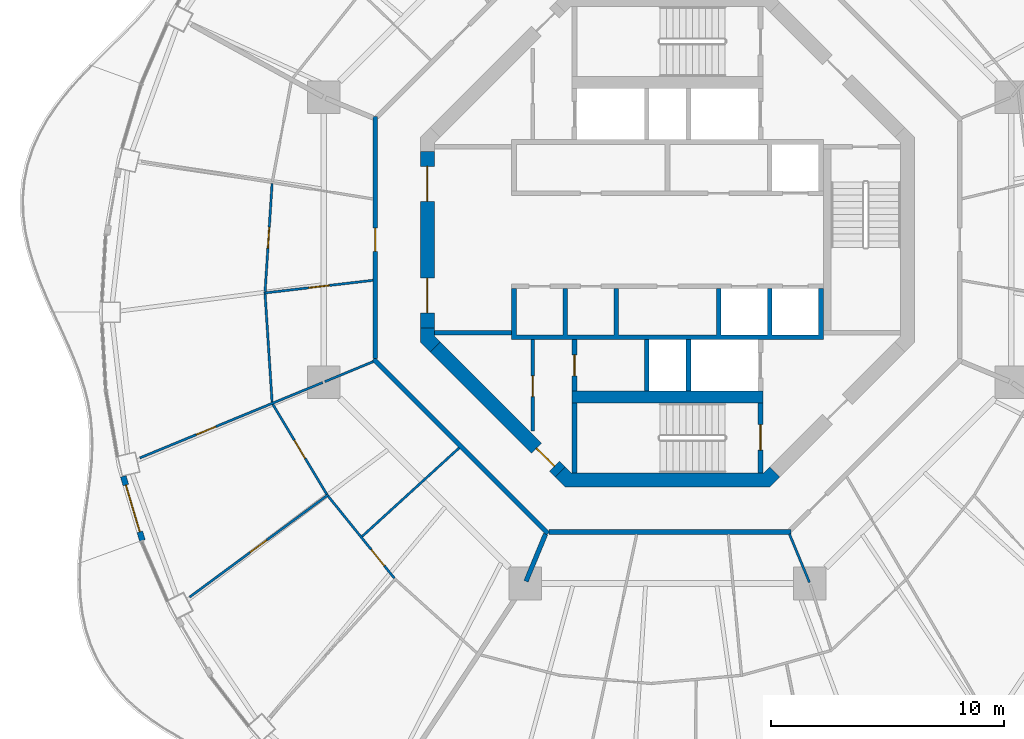
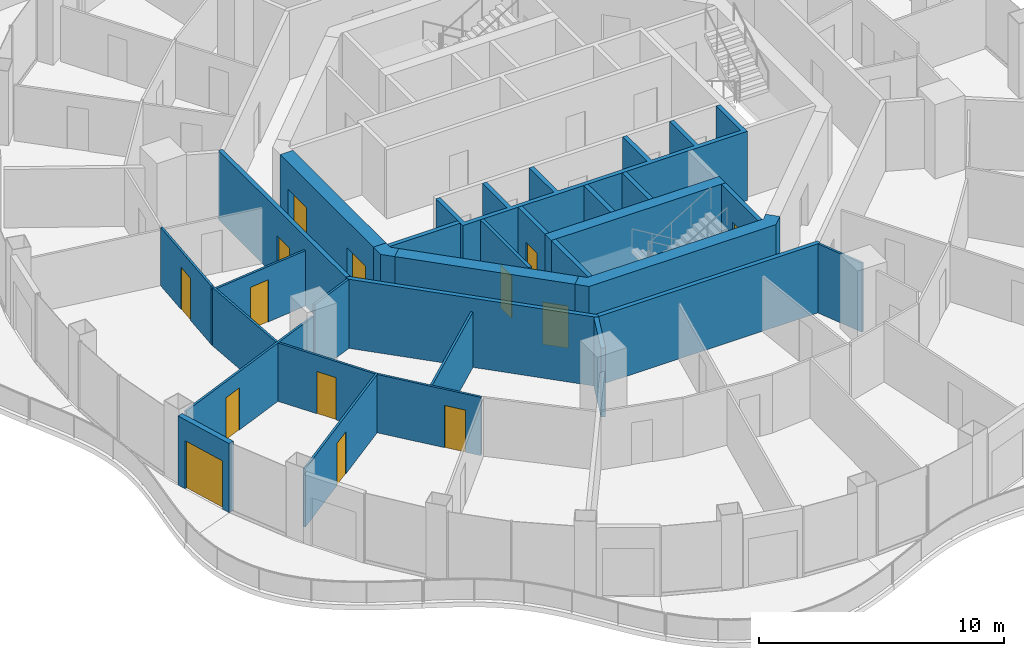
# One storey, part 10 of 17: 28 walls, 14 doors, 14 openings.
"""IFC4 building model written with IfcOpenShell, lengths in metres."""

import ifcopenshell
import ifcopenshell.guid

model = None  # the IFC model being written
_history = None  # IfcOwnerHistory: only IFC2X3 demands one
_inside = {}  # id of a spatial element -> (the spatial element, [elements in it])
_under = {}  # id of a project, library or spatial element -> (it, [spatial elements below it])
_declared = {}  # id of a project -> (the project, [libraries it declares])
_typed = {}  # id of a type object -> (the type object, [elements of that type])
_made_of = {}  # id of a material, layer set ... -> (it, [elements and type objects made of it])


def new_model(schema):
    """Start an empty IFC model of exactly this schema.

    Asked for "IFC4X3", IfcOpenShell would pick the latest addendum, in which some entities
    have other attributes; the version numbers below select the first issue.
    IFC2X3 requires an IfcOwnerHistory on every rooted entity: one is made here for all.
    """
    global model, _history
    if schema == "IFC4X3":
        model = ifcopenshell.file(schema_version=(4, 3, 0, 0))
    else:
        model = ifcopenshell.file(schema=schema)
    _inside.clear()
    _under.clear()
    _declared.clear()
    _typed.clear()
    _made_of.clear()
    _history = None
    if model.schema == "IFC2X3":
        org = make("IfcOrganization", Name="unknown")
        user = make(
            "IfcPersonAndOrganization",
            ThePerson=make("IfcPerson", FamilyName="unknown"),
            TheOrganization=org,
        )
        app = make(
            "IfcApplication",
            ApplicationDeveloper=org,
            Version="unknown",
            ApplicationFullName="unknown",
            ApplicationIdentifier="unknown",
        )
        _history = make(
            "IfcOwnerHistory",
            OwningUser=user,
            OwningApplication=app,
            ChangeAction="ADDED",
            CreationDate=0,
        )
    return model


def make(cls, **values):
    """One entity of the class cls with the attributes given. An attribute that is None is left unset."""
    return model.create_entity(
        cls, **{name: value for name, value in values.items() if value is not None}
    )


def rooted(cls, **values):
    """An entity with a GlobalId (a new one), such as an element, a storey or a relation."""
    return make(cls, GlobalId=ifcopenshell.guid.new(), OwnerHistory=_history, **values)


def si_unit(unit_type, name, prefix=None):
    """IfcSIUnit, for example si_unit("LENGTHUNIT", "METRE", prefix="MILLI")."""
    return make("IfcSIUnit", UnitType=unit_type, Prefix=prefix, Name=name)


def assignment(units):
    """IfcUnitAssignment: the units of a project."""
    return None if units is None else make("IfcUnitAssignment", Units=units)


def point(xyz):
    """IfcCartesianPoint."""
    return None if xyz is None else make("IfcCartesianPoint", Coordinates=xyz)


def direction(xyz):
    """IfcDirection."""
    return None if xyz is None else make("IfcDirection", DirectionRatios=xyz)


def frame(location, z_axis=None, x_axis=None):
    """IfcAxis2Placement3D, a coordinate frame: its origin and axes. An axis left out is left unset."""
    return make(
        "IfcAxis2Placement3D",
        Location=point(location),
        Axis=direction(z_axis),
        RefDirection=direction(x_axis),
    )


def frame_2d(location, x_axis=None):
    """IfcAxis2Placement2D, a coordinate frame in the plane: its origin and x axis."""
    return make(
        "IfcAxis2Placement2D", Location=point(location), RefDirection=direction(x_axis)
    )


def origin():
    """The frame at (0, 0, 0) with its axes left unset."""
    return frame((0.0, 0.0, 0.0))


def place(relative_to, where):
    """IfcLocalPlacement: puts the frame where relative to a parent placement (None: the world)."""
    return make(
        "IfcLocalPlacement", PlacementRelTo=relative_to, RelativePlacement=where
    )


def context(
    kind, dimensions, precision=None, world=None, true_north=None, identifier=None
):
    """IfcGeometricRepresentationContext, for example the 3D "Model" context."""
    return make(
        "IfcGeometricRepresentationContext",
        ContextIdentifier=identifier,
        ContextType=kind,
        CoordinateSpaceDimension=dimensions,
        Precision=precision,
        WorldCoordinateSystem=world,
        TrueNorth=true_north,
    )


def subcontext(parent, identifier, kind, view, scale=None):
    """IfcGeometricRepresentationSubContext, for example "Body" below "Model"."""
    return make(
        "IfcGeometricRepresentationSubContext",
        ContextIdentifier=identifier,
        ContextType=kind,
        ParentContext=parent,
        TargetScale=scale,
        TargetView=view,
    )


def project(units=None, contexts=None):
    """IfcProject with its units and contexts."""
    return rooted(
        "IfcProject",
        Name="project",
        RepresentationContexts=contexts,
        UnitsInContext=assignment(units),
    )


def spatial(cls, under=None, at=None, **own):
    """A site, building, storey or space (cls), placed at a placement, below another one or the project."""
    s = rooted(cls, ObjectPlacement=at, **own)
    if under is not None:
        _under.setdefault(under.id(), (under, []))[1].append(s)
    return s


def polyline(points):
    """IfcPolyline through the points."""
    return make("IfcPolyline", Points=[point(p) for p in points])


def profile(cls, at=None, kind="AREA", **sizes):
    """A parametric profile (cls). Its sizes go by their IFC names, for example OverallWidth=200.0."""
    return make(cls, ProfileType=kind, Position=at, **sizes)


def rectangle(**sizes):
    """IfcRectangleProfileDef."""
    return profile("IfcRectangleProfileDef", **sizes)


def outline(outer, holes=None, kind="AREA"):
    """IfcArbitraryClosedProfileDef: a profile drawn as a closed curve; with holes, ...WithVoids."""
    if holes is None:
        return make("IfcArbitraryClosedProfileDef", ProfileType=kind, OuterCurve=outer)
    return make(
        "IfcArbitraryProfileDefWithVoids",
        ProfileType=kind,
        OuterCurve=outer,
        InnerCurves=holes,
    )


def extrude(swept, where, along, depth):
    """IfcExtrudedAreaSolid: the profile swept, set in the frame where, extruded along a direction by depth."""
    return make(
        "IfcExtrudedAreaSolid",
        SweptArea=swept,
        Position=where,
        ExtrudedDirection=direction(along),
        Depth=depth,
    )


def shape(context_of_items, identifier, shape_type, items):
    """IfcShapeRepresentation: the items that make up one representation, for example the "Body"."""
    return make(
        "IfcShapeRepresentation",
        ContextOfItems=context_of_items,
        RepresentationIdentifier=identifier,
        RepresentationType=shape_type,
        Items=items,
    )


def material(Name=None, Category=None):
    """IfcMaterial."""
    return make("IfcMaterial", Name=Name, Category=Category)


def layer(
    of_material, thickness, ventilated=None, Name=None, Category=None, Priority=None
):
    """IfcMaterialLayer: one layer of a wall or slab, of a material (None: an air gap)."""
    return make(
        "IfcMaterialLayer",
        Material=of_material,
        LayerThickness=thickness,
        IsVentilated=ventilated,
        Name=Name,
        Category=Category,
        Priority=Priority,
    )


def layer_set(layers, Name=None):
    """IfcMaterialLayerSet."""
    return make("IfcMaterialLayerSet", MaterialLayers=layers, LayerSetName=Name)


def made_of(thing, what):
    """Note that an element or type object is made of a material, layer set ...; save() writes the relation."""
    if what is not None:
        _made_of.setdefault(what.id(), (what, []))[1].append(thing)
    return thing


def type_object(cls, material=None, **own):
    """A type object (cls), such as IfcWallType, which elements share."""
    return made_of(rooted(cls, **own), material)


def element(
    cls,
    number,
    at=None,
    inside=None,
    cuts=None,
    type_object=None,
    material=None,
    context=None,
    identifier="Body",
    shape_type=None,
    held_by="IfcProductDefinitionShape",
    body=None,
    shapes=None,
    **own,
):
    """One element of the class cls, such as IfcWall. Its Tag is "e" and its number.

    at: its placement. inside: the storey or other place that contains it. cuts: it is an
    opening in that element (IfcRelVoidsElement). A single representation is given by context,
    identifier, shape_type and body (its items); several are given by shapes. held_by: the class
    of the entity that holds the representations. save() writes the other relations.
    """
    e = rooted(cls, Tag="e%d" % number, ObjectPlacement=at, **own)
    if body is not None:
        shapes = [shape(context, identifier, shape_type, body)]
    if shapes is not None:
        e.Representation = make(held_by, Representations=shapes)
    if inside is not None:
        _inside.setdefault(inside.id(), (inside, []))[1].append(e)
    if cuts is not None:
        rooted(
            "IfcRelVoidsElement", RelatingBuildingElement=cuts, RelatedOpeningElement=e
        )
    if type_object is not None:
        _typed.setdefault(type_object.id(), (type_object, []))[1].append(e)
    return made_of(e, material)


def fill(opening, filler):
    """IfcRelFillsElement: the door or window that sits in an opening."""
    return rooted(
        "IfcRelFillsElement",
        RelatingOpeningElement=opening,
        RelatedBuildingElement=filler,
    )


def aggregate(whole, parts):
    """IfcRelAggregates: a whole, such as a stair, and the parts it consists of."""
    return rooted("IfcRelAggregates", RelatingObject=whole, RelatedObjects=parts)


def save(model, path):
    """Write the relations noted so far, then the file.

    IfcRelAggregates (storeys below a building ...), IfcRelContainedInSpatialStructure (elements
    in a storey), IfcRelDefinesByType, IfcRelAssociatesMaterial and IfcRelDeclares: one each for
    every whole, place, type object, material and project.
    """
    for whole, parts in _under.values():
        aggregate(whole, parts)
    for where, things in _inside.values():
        rooted(
            "IfcRelContainedInSpatialStructure",
            RelatedElements=things,
            RelatingStructure=where,
        )
    for kind, things in _typed.values():
        rooted("IfcRelDefinesByType", RelatedObjects=things, RelatingType=kind)
    for what, things in _made_of.values():
        rooted("IfcRelAssociatesMaterial", RelatedObjects=things, RelatingMaterial=what)
    for by, libraries in _declared.values():
        rooted("IfcRelDeclares", RelatingContext=by, RelatedDefinitions=libraries)
    model.write(path)


model = new_model("IFC4")

# Units and contexts
model_context = context("Model", 3, precision=1e-05, world=origin(), true_north=direction((0.0, 1.0)))
body_context = subcontext(model_context, "Body", "Model", "MODEL_VIEW")
ifc_project = project(units=[si_unit("LENGTHUNIT", "METRE"), si_unit("AREAUNIT", "SQUARE_METRE"), si_unit("VOLUMEUNIT", "CUBIC_METRE"), si_unit("PLANEANGLEUNIT", "RADIAN"), si_unit("MASSUNIT", "GRAM", prefix="KILO")], contexts=[model_context])

# Site, building, storey
site_placement = place(None, origin())
site = spatial("IfcSite", under=ifc_project, at=site_placement, CompositionType="ELEMENT")
building_placement = place(site_placement, origin())
building = spatial("IfcBuilding", under=site, at=building_placement, Name="Nagisa Residences", CompositionType="ELEMENT")
storey_placement = place(building_placement, frame((0.0, 0.0, 291.800048828125)))
storey = spatial("IfcBuildingStorey", under=building, at=storey_placement, Name="L74", CompositionType="ELEMENT", Elevation=291.800048828125)

# Wall
ifc_material_1 = material(Name="Gypsum board on steel studs", Category="steel")
ifc_layer_1 = layer(ifc_material_1, 0.199951171875)
ifc_layer_set_1 = layer_set([ifc_layer_1], Name="Apartment compartment wall EI60 200")
wall_type_1 = type_object("IfcWallType", Name="Apartment compartment wall EI60 200", PredefinedType="PARTITIONING", material=ifc_layer_set_1)
wall_1_placement = place(storey_placement, frame((-5.24267578125, -12.6572265625, 0.0), z_axis=(0.0, 0.0, 1.0), x_axis=(-0.382770106157, -0.923843626288, 0.0)))
element("IfcWall", 1, at=wall_1_placement, inside=storey, type_object=wall_type_1, Name="wall:L74:u06", PredefinedType="PARTITIONING", context=body_context, shape_type="SweptSolid", body=[
    extrude(rectangle(XDim=2.19921875, YDim=0.199951171875, at=frame_2d((1.099609375, 0.0))), origin(), (0.0, 0.0, 1.0), 3.43994140625),
])

# Wall, opening, door
ifc_material_2 = material(Name="Gypsum board on steel studs", Category="steel")
ifc_layer_2 = layer(ifc_material_2, 0.199951171875)
ifc_layer_set_2 = layer_set([ifc_layer_2], Name="Apartment entry wall EI60 200")
wall_type_2 = type_object("IfcWallType", Name="Apartment entry wall EI60 200", PredefinedType="PARTITIONING", material=ifc_layer_set_2)
wall_2_placement = place(storey_placement, frame((-12.564697265625, 5.304443359375, 0.0), z_axis=(0.0, 0.0, 1.0), x_axis=(0.0, -1.0, 0.0)))
wall_2 = element("IfcWall", 2, at=wall_2_placement, inside=storey, type_object=wall_type_2, Name="wall:L74:u14", PredefinedType="PARTITIONING", context=body_context, shape_type="SweptSolid", body=[
    extrude(rectangle(XDim=10.408935546875, YDim=0.199951171875, at=frame_2d((5.20458984375, 0.0))), origin(), (0.0, 0.0, 1.0), 3.43994140625),
])
opening_1_placement = place(wall_2_placement, frame((4.804443359375, 0.0, 0.0)))
opening_1 = element("IfcOpeningElement", 3, at=opening_1_placement, cuts=wall_2, Name="Opening L74-U31", PredefinedType="OPENING", context=body_context, shape_type="SweptSolid", body=[
    extrude(rectangle(XDim=1.0, YDim=2.10009765625, at=frame_2d((0.5, 1.050048828125))), frame((0.0, 0.10986328125, 0.0), z_axis=(0.0, -1.0, 0.0), x_axis=(1.0, 0.0, 0.0)), (0.0, 0.0, 1.0), 0.219970703125),
])
ifc_material_3 = material(Name="Timber fire door set", Category="wood")
door_type_1 = type_object("IfcDoorType", Name="Apartment entry door FD30S 1000x2100", OperationType="NOTDEFINED", PredefinedType="DOOR", material=ifc_material_3)
door_1_placement = place(opening_1_placement, frame((1.0, 0.0, 0.0), x_axis=(-1.0, 0.0, 0.0)))
door_1 = element("IfcDoor", 4, at=door_1_placement, inside=storey, type_object=door_type_1, Name="Entry door, Apartment 74E", OperationType="SINGLE_SWING_RIGHT", OverallHeight=2.10009765625, OverallWidth=1.0, PredefinedType="DOOR", context=body_context, shape_type="SweptSolid", body=[
    extrude(rectangle(XDim=1.0, YDim=2.10009765625, at=frame_2d((0.5, 1.050048828125))), frame((0.0, 0.02490234375, 0.0), z_axis=(0.0, -1.0, 0.0), x_axis=(1.0, 0.0, 0.0)), (0.0, 0.0, 1.0), 0.050048828125),
])
fill(opening_1, door_1)

# Walls
wall_3_placement = place(storey_placement, frame((-12.635498046875, -5.1337890625, 0.0), z_axis=(0.0, 0.0, 1.0), x_axis=(0.707106781187, -0.707106781187, 0.0)))
element("IfcWall", 5, at=wall_3_placement, inside=storey, type_object=wall_type_2, Name="wall:L74:u15", PredefinedType="PARTITIONING", context=body_context, shape_type="SweptSolid", body=[
    extrude(rectangle(XDim=10.609130859375, YDim=0.199951171875, at=frame_2d((5.3046875, 0.0))), origin(), (0.0, 0.0, 1.0), 3.43994140625),
])
wall_4_placement = place(storey_placement, frame((-5.1044921875, -12.564697265625, 0.0), z_axis=(0.0, 0.0, 1.0), x_axis=(1.0, 0.0, 0.0)))
element("IfcWall", 6, at=wall_4_placement, inside=storey, type_object=wall_type_2, Name="wall:L74:u16", PredefinedType="PARTITIONING", context=body_context, shape_type="SweptSolid", body=[
    extrude(rectangle(XDim=10.408935546875, YDim=0.199951171875, at=frame_2d((5.20458984375, 0.0))), origin(), (0.0, 0.0, 1.0), 3.43994140625),
])

# Wall, opening, door
ifc_material_4 = material(Name="Gypsum board on steel studs", Category="steel")
ifc_layer_3 = layer(ifc_material_4, 0.10009765625)
ifc_layer_set_3 = layer_set([ifc_layer_3], Name="Apartment partition 100")
wall_type_3 = type_object("IfcWallType", Name="Apartment partition 100", PredefinedType="PARTITIONING", material=ifc_layer_set_3)
wall_5_placement = place(storey_placement, frame((-17.001708984375, 2.40869140625, 0.0), z_axis=(0.0, 0.0, 1.0), x_axis=(-0.064855550758, -0.997894662545, 0.0)))
wall_5 = element("IfcWall", 7, at=wall_5_placement, inside=storey, type_object=wall_type_3, Name="wall:L74:u41", PredefinedType="PARTITIONING", context=body_context, shape_type="SweptSolid", body=[
    extrude(rectangle(XDim=4.656494140625, YDim=0.10009765625, at=frame_2d((2.328125, 0.0))), origin(), (0.0, 0.0, 1.0), 2.905029296875),
])
opening_2_placement = place(wall_5_placement, frame((1.87841796875, 0.0, 0.0)))
opening_2 = element("IfcOpeningElement", 8, at=opening_2_placement, cuts=wall_5, Name="Opening L74-U35", PredefinedType="OPENING", context=body_context, shape_type="SweptSolid", body=[
    extrude(rectangle(XDim=0.89990234375, YDim=2.10009765625, at=frame_2d((0.449951171875, 1.050048828125))), frame((0.0, 0.06005859375, 0.0), z_axis=(0.0, -1.0, 0.0), x_axis=(1.0, 0.0, 0.0)), (0.0, 0.0, 1.0), 0.1201171875),
])
ifc_material_5 = material(Name="Timber door set", Category="wood")
door_type_2 = type_object("IfcDoorType", Name="Apartment door 900x2100", OperationType="NOTDEFINED", PredefinedType="DOOR", material=ifc_material_5)
door_2_placement = place(opening_2_placement, frame((0.89990234375, 0.0, 0.0), x_axis=(-1.0, 0.0, 0.0)))
door_2 = element("IfcDoor", 9, at=door_2_placement, inside=storey, type_object=door_type_2, Name="Door to living room, Apartment 74E", OperationType="SINGLE_SWING_RIGHT", OverallHeight=2.10009765625, OverallWidth=0.89990234375, PredefinedType="DOOR", context=body_context, shape_type="SweptSolid", body=[
    extrude(rectangle(XDim=0.89990234375, YDim=2.10009765625, at=frame_2d((0.449951171875, 1.050048828125))), frame((0.0, 0.02490234375, 0.0), z_axis=(0.0, -1.0, 0.0), x_axis=(1.0, 0.0, 0.0)), (0.0, 0.0, 1.0), 0.050048828125),
])
fill(opening_2, door_2)

wall_6_placement = place(storey_placement, frame((-12.6640625, -1.746337890625, 0.0), z_axis=(0.0, 0.0, 1.0), x_axis=(-0.993265121683, -0.115863704621, 0.0)))
wall_6 = element("IfcWall", 10, at=wall_6_placement, inside=storey, type_object=wall_type_3, Name="wall:L74:u42", PredefinedType="PARTITIONING", context=body_context, shape_type="SweptSolid", body=[
    extrude(rectangle(XDim=4.72412109375, YDim=0.10009765625, at=frame_2d((2.362060546875, 0.0))), origin(), (0.0, 0.0, 1.0), 2.761962890625),
])
opening_3_placement = place(wall_6_placement, frame((1.88720703125, 0.0, 0.0)))
opening_3 = element("IfcOpeningElement", 11, at=opening_3_placement, cuts=wall_6, Name="Opening L74-U33", PredefinedType="OPENING", context=body_context, shape_type="SweptSolid", body=[
    extrude(rectangle(XDim=0.89990234375, YDim=2.10009765625, at=frame_2d((0.449951171875, 1.050048828125))), frame((0.0, 0.06005859375, 0.0), z_axis=(0.0, -1.0, 0.0), x_axis=(1.0, 0.0, 0.0)), (0.0, 0.0, 1.0), 0.1201171875),
])
door_3_placement = place(opening_3_placement, origin())
door_3 = element("IfcDoor", 12, at=door_3_placement, inside=storey, type_object=door_type_2, Name="Door to family bathroom, Apartment 74E", OperationType="SINGLE_SWING_LEFT", OverallHeight=2.10009765625, OverallWidth=0.89990234375, PredefinedType="DOOR", context=body_context, shape_type="SweptSolid", body=[
    extrude(rectangle(XDim=0.89990234375, YDim=2.10009765625, at=frame_2d((0.449951171875, 1.050048828125))), frame((0.0, 0.02490234375, 0.0), z_axis=(0.0, -1.0, 0.0), x_axis=(1.0, 0.0, 0.0)), (0.0, 0.0, 1.0), 0.050048828125),
])
fill(opening_3, door_3)

# Walls
wall_7_placement = place(storey_placement, frame((-17.3037109375, -2.337890625, 0.0), z_axis=(0.0, 0.0, 1.0), x_axis=(0.064981578354, -0.99788646372, 0.0)))
element("IfcWall", 13, at=wall_7_placement, inside=storey, type_object=wall_type_3, Name="wall:L74:u43", PredefinedType="PARTITIONING", context=body_context, shape_type="SweptSolid", body=[
    extrude(rectangle(XDim=4.65869140625, YDim=0.10009765625, at=frame_2d((2.329345703125, 0.0))), origin(), (0.0, 0.0, 1.0), 2.905029296875),
])
wall_8_placement = place(storey_placement, frame((-12.6572265625, -5.24267578125, 0.0), z_axis=(0.0, 0.0, 1.0), x_axis=(-0.923871314276, -0.382703272338, 0.0)))
element("IfcWall", 14, at=wall_8_placement, inside=storey, type_object=wall_type_3, Name="wall:L74:u44", PredefinedType="PARTITIONING", context=body_context, shape_type="SweptSolid", body=[
    extrude(rectangle(XDim=2.249267578125, YDim=0.10009765625, at=frame_2d((1.12451171875, 0.0))), origin(), (0.0, 0.0, 1.0), 3.43994140625),
])

# Wall, opening, door
wall_9_placement = place(storey_placement, frame((-14.828369140625, -6.14208984375, 0.0), z_axis=(0.0, 0.0, 1.0), x_axis=(-0.924478087429, -0.381235184451, 0.0)))
wall_9 = element("IfcWall", 15, at=wall_9_placement, inside=storey, type_object=wall_type_3, Name="wall:L74:u45", PredefinedType="PARTITIONING", context=body_context, shape_type="SweptSolid", body=[
    extrude(rectangle(XDim=8.499267578125, YDim=0.10009765625, at=frame_2d((4.24951171875, 0.0))), origin(), (0.0, 0.0, 1.0), 2.905029296875),
])
opening_4_placement = place(wall_9_placement, frame((4.97314453125, 0.0, 0.0)))
opening_4 = element("IfcOpeningElement", 16, at=opening_4_placement, cuts=wall_9, Name="Opening L74-U36", PredefinedType="OPENING", context=body_context, shape_type="SweptSolid", body=[
    extrude(rectangle(XDim=0.89990234375, YDim=2.10009765625, at=frame_2d((0.449951171875, 1.050048828125))), frame((0.0, 0.06005859375, 0.0), z_axis=(0.0, -1.0, 0.0), x_axis=(1.0, 0.0, 0.0)), (0.0, 0.0, 1.0), 0.1201171875),
])
door_4_placement = place(opening_4_placement, origin())
door_4 = element("IfcDoor", 17, at=door_4_placement, inside=storey, type_object=door_type_2, Name="Door to kitchen, Apartment 74E", OperationType="SINGLE_SWING_RIGHT", OverallHeight=2.10009765625, OverallWidth=0.89990234375, PredefinedType="DOOR", context=body_context, shape_type="SweptSolid", body=[
    extrude(rectangle(XDim=0.89990234375, YDim=2.10009765625, at=frame_2d((0.449951171875, 1.050048828125))), frame((0.0, 0.02490234375, 0.0), z_axis=(0.0, -1.0, 0.0), x_axis=(1.0, 0.0, 0.0)), (0.0, 0.0, 1.0), 0.050048828125),
])
fill(opening_4, door_4)

wall_10_placement = place(storey_placement, frame((-16.971923828125, -7.07958984375, 0.0), z_axis=(0.0, 0.0, 1.0), x_axis=(0.514989049311, -0.857196756346, 0.0)))
wall_10 = element("IfcWall", 18, at=wall_10_placement, inside=storey, type_object=wall_type_3, Name="wall:L74:u46", PredefinedType="PARTITIONING", context=body_context, shape_type="SweptSolid", body=[
    extrude(rectangle(XDim=4.51171875, YDim=0.10009765625, at=frame_2d((2.255859375, 0.0))), origin(), (0.0, 0.0, 1.0), 2.905029296875),
])
opening_5_placement = place(wall_10_placement, frame((1.805908203125, 0.0, 0.0)))
opening_5 = element("IfcOpeningElement", 19, at=opening_5_placement, cuts=wall_10, Name="Opening L74-U39", PredefinedType="OPENING", context=body_context, shape_type="SweptSolid", body=[
    extrude(rectangle(XDim=0.89990234375, YDim=2.10009765625, at=frame_2d((0.449951171875, 1.050048828125))), frame((0.0, 0.06005859375, 0.0), z_axis=(0.0, -1.0, 0.0), x_axis=(1.0, 0.0, 0.0)), (0.0, 0.0, 1.0), 0.1201171875),
])
door_5_placement = place(opening_5_placement, origin())
door_5 = element("IfcDoor", 20, at=door_5_placement, inside=storey, type_object=door_type_2, Name="Door to store, Apartment 74E", OperationType="SINGLE_SWING_LEFT", OverallHeight=2.10009765625, OverallWidth=0.89990234375, PredefinedType="DOOR", context=body_context, shape_type="SweptSolid", body=[
    extrude(rectangle(XDim=0.89990234375, YDim=2.10009765625, at=frame_2d((0.449951171875, 1.050048828125))), frame((0.0, 0.02490234375, 0.0), z_axis=(0.0, -1.0, 0.0), x_axis=(1.0, 0.0, 0.0)), (0.0, 0.0, 1.0), 0.050048828125),
])
fill(opening_5, door_5)

wall_11_placement = place(storey_placement, frame((-14.582275390625, -10.960205078125, 0.0), z_axis=(0.0, 0.0, 1.0), x_axis=(-0.804405200554, -0.594081032623, 0.0)))
wall_11 = element("IfcWall", 21, at=wall_11_placement, inside=storey, type_object=wall_type_3, Name="wall:L74:u47", PredefinedType="PARTITIONING", context=body_context, shape_type="SweptSolid", body=[
    extrude(rectangle(XDim=7.41845703125, YDim=0.10009765625, at=frame_2d((3.709228515625, 0.0))), origin(), (0.0, 0.0, 1.0), 2.905029296875),
])
opening_6_placement = place(wall_11_placement, frame((3.2841796875, 0.0, 0.0)))
opening_6 = element("IfcOpeningElement", 22, at=opening_6_placement, cuts=wall_11, Name="Opening L74-U37", PredefinedType="OPENING", context=body_context, shape_type="SweptSolid", body=[
    extrude(rectangle(XDim=0.89990234375, YDim=2.10009765625, at=frame_2d((0.449951171875, 1.050048828125))), frame((0.0, 0.06005859375, 0.0), z_axis=(0.0, -1.0, 0.0), x_axis=(1.0, 0.0, 0.0)), (0.0, 0.0, 1.0), 0.1201171875),
])
door_6_placement = place(opening_6_placement, origin())
door_6 = element("IfcDoor", 23, at=door_6_placement, inside=storey, type_object=door_type_2, Name="Door to family room, Apartment 74E", OperationType="SINGLE_SWING_LEFT", OverallHeight=2.10009765625, OverallWidth=0.89990234375, PredefinedType="DOOR", context=body_context, shape_type="SweptSolid", body=[
    extrude(rectangle(XDim=0.89990234375, YDim=2.10009765625, at=frame_2d((0.449951171875, 1.050048828125))), frame((0.0, 0.02490234375, 0.0), z_axis=(0.0, -1.0, 0.0), x_axis=(1.0, 0.0, 0.0)), (0.0, 0.0, 1.0), 0.050048828125),
])
fill(opening_6, door_6)

wall_12_placement = place(storey_placement, frame((-14.59130859375, -11.02880859375, 0.0), z_axis=(0.0, 0.0, 1.0), x_axis=(0.628170338674, -0.778075848237, 0.0)))
wall_12 = element("IfcWall", 24, at=wall_12_placement, inside=storey, type_object=wall_type_3, Name="wall:L74:u48", PredefinedType="PARTITIONING", context=body_context, shape_type="SweptSolid", body=[
    extrude(rectangle(XDim=4.532470703125, YDim=0.10009765625, at=frame_2d((2.26611328125, 0.0))), origin(), (0.0, 0.0, 1.0), 2.905029296875),
])
opening_7_placement = place(wall_12_placement, frame((2.94921875, 0.0, 0.0)))
opening_7 = element("IfcOpeningElement", 25, at=opening_7_placement, cuts=wall_12, Name="Opening L74-U40", PredefinedType="OPENING", context=body_context, shape_type="SweptSolid", body=[
    extrude(rectangle(XDim=0.89990234375, YDim=2.10009765625, at=frame_2d((0.449951171875, 1.050048828125))), frame((0.0, 0.06005859375, 0.0), z_axis=(0.0, -1.0, 0.0), x_axis=(1.0, 0.0, 0.0)), (0.0, 0.0, 1.0), 0.1201171875),
])
door_7_placement = place(opening_7_placement, origin())
door_7 = element("IfcDoor", 26, at=door_7_placement, inside=storey, type_object=door_type_2, Name="Door to laundry, Apartment 74E", OperationType="SINGLE_SWING_RIGHT", OverallHeight=2.10009765625, OverallWidth=0.89990234375, PredefinedType="DOOR", context=body_context, shape_type="SweptSolid", body=[
    extrude(rectangle(XDim=0.89990234375, YDim=2.10009765625, at=frame_2d((0.449951171875, 1.050048828125))), frame((0.0, 0.02490234375, 0.0), z_axis=(0.0, -1.0, 0.0), x_axis=(1.0, 0.0, 0.0)), (0.0, 0.0, 1.0), 0.050048828125),
])
fill(opening_7, door_7)

# Walls
wall_13_placement = place(storey_placement, frame((-8.95849609375, -8.9521484375, 0.0), z_axis=(0.0, 0.0, 1.0), x_axis=(-0.73876526954, -0.673962815385, 0.0)))
element("IfcWall", 27, at=wall_13_placement, inside=storey, type_object=wall_type_3, Name="wall:L74:u49", PredefinedType="PARTITIONING", context=body_context, shape_type="SweptSolid", body=[
    extrude(rectangle(XDim=5.6474609375, YDim=0.10009765625, at=frame_2d((2.82373046875, 0.0))), origin(), (0.0, 0.0, 1.0), 2.761962890625),
])
wall_14_placement = place(storey_placement, frame((5.24267578125, -12.6572265625, 0.0), z_axis=(0.0, 0.0, 1.0), x_axis=(0.382719158442, -0.923864733477, 0.0)))
element("IfcWall", 28, at=wall_14_placement, inside=storey, type_object=wall_type_3, Name="wall:L74:u60", PredefinedType="PARTITIONING", context=body_context, shape_type="SweptSolid", body=[
    extrude(rectangle(XDim=2.25, YDim=0.10009765625, at=frame_2d((1.125, 0.0))), origin(), (0.0, 0.0, 1.0), 3.43994140625),
])

# Wall, opening, door
ifc_material_6 = material(Name="Precast concrete C40/50", Category="concrete")
ifc_layer_4 = layer(ifc_material_6, 0.25)
ifc_layer_set_4 = layer_set([ifc_layer_4], Name="BALCONY DOOR WALL 250")
wall_type_4 = type_object("IfcWallType", Name="BALCONY DOOR WALL 250", PredefinedType="SOLIDWALL", material=ifc_layer_set_4)
wall_15_placement = place(storey_placement, frame((-22.578369140625, -12.93212890625, 0.0), z_axis=(0.0, 0.0, 1.0), x_axis=(-0.285899456462, 0.958259620768, 0.0)))
wall_15 = element("IfcWall", 29, at=wall_15_placement, inside=storey, type_object=wall_type_4, Name="wall:L74:bay26", PredefinedType="SOLIDWALL", context=body_context, shape_type="SweptSolid", body=[
    extrude(rectangle(XDim=2.876953125, YDim=0.25, at=frame_2d((1.4384765625, 0.0))), origin(), (0.0, 0.0, 1.0), 3.43994140625),
])
opening_8_placement = place(wall_15_placement, frame((0.388671875, 0.0, 0.0)))
opening_8 = element("IfcOpeningElement", 30, at=opening_8_placement, cuts=wall_15, Name="Opening BD-L74-09", PredefinedType="OPENING", context=body_context, shape_type="SweptSolid", body=[
    extrude(rectangle(XDim=2.10009765625, YDim=2.39990234375, at=frame_2d((1.050048828125, 1.199951171875))), frame((0.0, 0.135009765625, 0.0), z_axis=(0.0, -1.0, 0.0), x_axis=(1.0, 0.0, 0.0)), (0.0, 0.0, 1.0), 0.27001953125),
])
ifc_material_7 = material(Name="Aluminium and clear glass", Category="aluminium")
door_type_3 = type_object("IfcDoorType", Name="BALCONY SLIDING DOOR 2100x2400", OperationType="SLIDING_TO_LEFT", PredefinedType="DOOR", material=ifc_material_7)
door_8_placement = place(opening_8_placement, origin())
door_8 = element("IfcDoor", 31, at=door_8_placement, inside=storey, type_object=door_type_3, Name="door:L74:bay26", OperationType="SLIDING_TO_LEFT", OverallHeight=2.39990234375, OverallWidth=2.10009765625, PredefinedType="DOOR", context=body_context, shape_type="SweptSolid", body=[
    extrude(rectangle(XDim=2.10009765625, YDim=2.39990234375, at=frame_2d((1.050048828125, 1.199951171875))), frame((0.0, 0.02490234375, 0.0), z_axis=(0.0, -1.0, 0.0), x_axis=(1.0, 0.0, 0.0)), (0.0, 0.0, 1.0), 0.050048828125),
])
fill(opening_8, door_8)

ifc_material_8 = material(Name="Gypsum board on steel studs", Category="steel")
ifc_layer_5 = layer(ifc_material_8, 0.14990234375)
ifc_layer_set_5 = layer_set([ifc_layer_5], Name="Core partition 150")
wall_type_5 = type_object("IfcWallType", Name="Core partition 150", PredefinedType="PARTITIONING", material=ifc_layer_set_5)
wall_16_placement = place(storey_placement, frame((-5.800048828125, -8.22705078125, 0.0), z_axis=(0.0, 0.0, 1.0), x_axis=(0.0, 1.0, 0.0)))
wall_16 = element("IfcWall", 32, at=wall_16_placement, inside=storey, type_object=wall_type_5, Name="wall:L74:SWp", PredefinedType="PARTITIONING", context=body_context, shape_type="SweptSolid", body=[
    extrude(rectangle(XDim=3.927001953125, YDim=0.14990234375, at=frame_2d((1.96337890625, 0.0))), origin(), (0.0, 0.0, 1.0), 3.43994140625),
])
opening_9_placement = place(wall_16_placement, frame((1.47607421875, 0.0, 0.0)))
opening_9 = element("IfcOpeningElement", 33, at=opening_9_placement, cuts=wall_16, Name="Opening L74-C11", PredefinedType="OPENING", context=body_context, shape_type="SweptSolid", body=[
    extrude(rectangle(XDim=0.89990234375, YDim=2.10009765625, at=frame_2d((0.449951171875, 1.050048828125))), frame((0.0, 0.0849609375, 0.0), z_axis=(0.0, -1.0, 0.0), x_axis=(1.0, 0.0, 0.0)), (0.0, 0.0, 1.0), 0.169921875),
])
ifc_material_9 = material(Name="Steel fire door", Category="steel")
door_type_4 = type_object("IfcDoorType", Name="Fire door EI30 900x2100 single swing", OperationType="NOTDEFINED", PredefinedType="DOOR", material=ifc_material_9)
door_9_placement = place(opening_9_placement, origin())
door_9 = element("IfcDoor", 34, at=door_9_placement, inside=storey, type_object=door_type_4, Name="Telecom room door L74", OperationType="SINGLE_SWING_RIGHT", OverallHeight=2.10009765625, OverallWidth=0.89990234375, PredefinedType="DOOR", context=body_context, shape_type="SweptSolid", body=[
    extrude(rectangle(XDim=0.89990234375, YDim=2.10009765625, at=frame_2d((0.449951171875, 1.050048828125))), frame((0.0, 0.02490234375, 0.0), z_axis=(0.0, -1.0, 0.0), x_axis=(1.0, 0.0, 0.0)), (0.0, 0.0, 1.0), 0.050048828125),
])
fill(opening_9, door_9)

# Wall
ifc_material_10 = material(Name="Gypsum board on steel studs", Category="steel")
ifc_layer_6 = layer(ifc_material_10, 0.199951171875)
ifc_layer_set_6 = layer_set([ifc_layer_6], Name="Core partition 200")
wall_type_6 = type_object("IfcWallType", Name="Core partition 200", PredefinedType="PARTITIONING", material=ifc_layer_set_6)
wall_17_placement = place(storey_placement, frame((-10.024658203125, -4.0, 0.0), z_axis=(0.0, 0.0, 1.0), x_axis=(1.0, 0.0, 0.0)))
element("IfcWall", 35, at=wall_17_placement, inside=storey, type_object=wall_type_6, Name="wall:L74:PSW", PredefinedType="PARTITIONING", context=body_context, shape_type="SweptSolid", body=[
    extrude(rectangle(XDim=3.32470703125, YDim=0.199951171875, at=frame_2d((1.662353515625, 0.0))), origin(), (0.0, 0.0, 1.0), 3.43994140625),
])

# Wall, openings, doors
ifc_material_11 = material(Name="Concrete C60", Category="concrete")
ifc_layer_7 = layer(ifc_material_11, 0.60009765625)
ifc_layer_set_7 = layer_set([ifc_layer_7], Name="Core shear wall 600")
wall_type_7 = type_object("IfcWallType", Name="Core shear wall 600", PredefinedType="SHEAR", material=ifc_layer_set_7)
wall_18_placement = place(storey_placement, frame((-10.32470703125, 3.80078125, 0.0), z_axis=(0.0, 0.0, 1.0), x_axis=(0.0, -1.0, 0.0)))
wall_18 = element("IfcWall", 36, at=wall_18_placement, inside=storey, type_object=wall_type_7, Name="wall:L74:core:flat4", PredefinedType="SHEAR", context=body_context, shape_type="SweptSolid", body=[
    extrude(rectangle(XDim=7.6015625, YDim=0.60009765625, at=frame_2d((3.80078125, 0.0))), origin(), (0.0, 0.0, 1.0), 3.43994140625),
])
opening_10_placement = place(wall_18_placement, frame((0.65087890625, 0.0, 0.0)))
opening_10 = element("IfcOpeningElement", 37, at=opening_10_placement, cuts=wall_18, Name="Opening L74-C20", PredefinedType="OPENING", context=body_context, shape_type="SweptSolid", body=[
    extrude(rectangle(XDim=1.5, YDim=2.10009765625, at=frame_2d((0.75, 1.050048828125))), frame((0.0, 0.31005859375, 0.0), z_axis=(0.0, -1.0, 0.0), x_axis=(1.0, 0.0, 0.0)), (0.0, 0.0, 1.0), 0.6201171875),
])
opening_11_placement = place(wall_18_placement, frame((5.450927734375, 0.0, 0.0)))
opening_11 = element("IfcOpeningElement", 38, at=opening_11_placement, cuts=wall_18, Name="Opening L74-C21", PredefinedType="OPENING", context=body_context, shape_type="SweptSolid", body=[
    extrude(rectangle(XDim=1.5, YDim=2.10009765625, at=frame_2d((0.75, 1.050048828125))), frame((0.0, 0.31005859375, 0.0), z_axis=(0.0, -1.0, 0.0), x_axis=(1.0, 0.0, 0.0)), (0.0, 0.0, 1.0), 0.6201171875),
])
ifc_material_12 = material(Name="Steel fire door", Category="steel")
door_type_5 = type_object("IfcDoorType", Name="Fire door EI60 1500x2100 double door single swing", OperationType="DOUBLE_DOOR_SINGLE_SWING", PredefinedType="DOOR", material=ifc_material_12)
door_10_placement = place(opening_10_placement, origin())
door_10 = element("IfcDoor", 39, at=door_10_placement, inside=storey, type_object=door_type_5, Name="Lift lobby door L74 1", OperationType="DOUBLE_DOOR_SINGLE_SWING", OverallHeight=2.10009765625, OverallWidth=1.5, PredefinedType="DOOR", context=body_context, shape_type="SweptSolid", body=[
    extrude(rectangle(XDim=1.5, YDim=2.10009765625, at=frame_2d((0.75, 1.050048828125))), frame((0.0, 0.02490234375, 0.0), z_axis=(0.0, -1.0, 0.0), x_axis=(1.0, 0.0, 0.0)), (0.0, 0.0, 1.0), 0.050048828125),
])
fill(opening_10, door_10)
door_11_placement = place(opening_11_placement, origin())
door_11 = element("IfcDoor", 40, at=door_11_placement, inside=storey, type_object=door_type_5, Name="Lift lobby door L74 2", OperationType="DOUBLE_DOOR_SINGLE_SWING", OverallHeight=2.10009765625, OverallWidth=1.5, PredefinedType="DOOR", context=body_context, shape_type="SweptSolid", body=[
    extrude(rectangle(XDim=1.5, YDim=2.10009765625, at=frame_2d((0.75, 1.050048828125))), frame((0.0, 0.02490234375, 0.0), z_axis=(0.0, -1.0, 0.0), x_axis=(1.0, 0.0, 0.0)), (0.0, 0.0, 1.0), 0.050048828125),
])
fill(opening_11, door_11)

# Wall, opening, door
wall_19_placement = place(storey_placement, frame((-9.98828125, -4.613037109375, 0.0), z_axis=(0.0, 0.0, 1.0), x_axis=(0.707106781187, -0.707106781187, 0.0)))
wall_19 = element("IfcWall", 41, at=wall_19_placement, inside=storey, type_object=wall_type_7, Name="wall:L74:core:flat5", PredefinedType="SHEAR", context=body_context, shape_type="SweptSolid", body=[
    extrude(rectangle(XDim=7.601806640625, YDim=0.60009765625, at=frame_2d((3.80078125, 0.0))), origin(), (0.0, 0.0, 1.0), 3.43994140625),
])
opening_12_placement = place(wall_19_placement, frame((6.15087890625, 0.0, 0.0)))
opening_12 = element("IfcOpeningElement", 42, at=opening_12_placement, cuts=wall_19, Name="Opening L74-C23", PredefinedType="OPENING", context=body_context, shape_type="SweptSolid", body=[
    extrude(rectangle(XDim=1.10009765625, YDim=2.10009765625, at=frame_2d((0.550048828125, 1.050048828125))), frame((0.0, 0.31005859375, 0.0), z_axis=(0.0, -1.0, 0.0), x_axis=(1.0, 0.0, 0.0)), (0.0, 0.0, 1.0), 0.6201171875),
])
ifc_material_13 = material(Name="Steel fire door", Category="steel")
door_type_6 = type_object("IfcDoorType", Name="Fire door EI60 1100x2100 single swing", OperationType="NOTDEFINED", PredefinedType="DOOR", material=ifc_material_13)
door_12_placement = place(opening_12_placement, origin())
door_12 = element("IfcDoor", 43, at=door_12_placement, inside=storey, type_object=door_type_6, Name="Housekeeping lobby door L74", OperationType="SINGLE_SWING_RIGHT", OverallHeight=2.10009765625, OverallWidth=1.10009765625, PredefinedType="DOOR", context=body_context, shape_type="SweptSolid", body=[
    extrude(rectangle(XDim=1.10009765625, YDim=2.10009765625, at=frame_2d((0.550048828125, 1.050048828125))), frame((0.0, 0.02490234375, 0.0), z_axis=(0.0, -1.0, 0.0), x_axis=(1.0, 0.0, 0.0)), (0.0, 0.0, 1.0), 0.050048828125),
])
fill(opening_12, door_12)

# Walls
wall_20_placement = place(storey_placement, origin())
element("IfcWall", 44, at=wall_20_placement, inside=storey, type_object=wall_type_7, Name="wall:L74:core:pier4", PredefinedType="SHEAR", context=body_context, shape_type="SweptSolid", body=[
    extrude(outline(polyline([(-10.62451171875, -3.80078125), (-10.024658203125, -3.80078125), (-10.024658203125, -4.15234375), (-9.776123046875, -4.40087890625), (-10.200439453125, -4.8251953125), (-10.62451171875, -4.40087890625), (-10.62451171875, -3.80078125)])), origin(), (0.0, 0.0, 1.0), 3.43994140625),
])
wall_21_placement = place(storey_placement, origin())
element("IfcWall", 45, at=wall_21_placement, inside=storey, type_object=wall_type_7, Name="wall:L74:core:flat6", PredefinedType="SHEAR", context=body_context, shape_type="SweptSolid", body=[
    extrude(outline(polyline([(-4.15234375, -10.024658203125), (4.15234375, -10.024658203125), (4.40087890625, -9.776123046875), (4.8251953125, -10.200439453125), (4.40087890625, -10.62451171875), (-4.40087890625, -10.62451171875), (-4.8251953125, -10.200439453125), (-4.40087890625, -9.776123046875), (-4.15234375, -10.024658203125)])), origin(), (0.0, 0.0, 1.0), 3.43994140625),
])

# Wall, opening, door
ifc_material_14 = material(Name="Concrete C60", Category="concrete")
ifc_layer_8 = layer(ifc_material_14, 0.199951171875)
ifc_layer_set_8 = layer_set([ifc_layer_8], Name="Lift shaft wall 200")
wall_type_8 = type_object("IfcWallType", Name="Lift shaft wall 200", PredefinedType="SOLIDWALL", material=ifc_layer_set_8)
wall_22_placement = place(storey_placement, frame((-4.0, -6.5, 0.0), z_axis=(0.0, 0.0, 1.0), x_axis=(0.0, 1.0, 0.0)))
wall_22 = element("IfcWall", 46, at=wall_22_placement, inside=storey, type_object=wall_type_8, Name="wall:L74:Sb4", PredefinedType="SOLIDWALL", context=body_context, shape_type="SweptSolid", body=[
    extrude(rectangle(XDim=2.199951171875, YDim=0.199951171875, at=frame_2d((1.10009765625, 0.0))), origin(), (0.0, 0.0, 1.0), 3.43994140625),
])
opening_13_placement = place(wall_22_placement, frame((0.64990234375, 0.0, 0.0)))
opening_13 = element("IfcOpeningElement", 47, at=opening_13_placement, cuts=wall_22, Name="Opening L74-C12", PredefinedType="OPENING", context=body_context, shape_type="SweptSolid", body=[
    extrude(rectangle(XDim=0.89990234375, YDim=2.10009765625, at=frame_2d((0.449951171875, 1.050048828125))), frame((0.0, 0.10986328125, 0.0), z_axis=(0.0, -1.0, 0.0), x_axis=(1.0, 0.0, 0.0)), (0.0, 0.0, 1.0), 0.219970703125),
])
door_13_placement = place(opening_13_placement, frame((0.89990234375, 0.0, 0.0), x_axis=(-1.0, 0.0, 0.0)))
door_13 = element("IfcDoor", 48, at=door_13_placement, inside=storey, type_object=door_type_4, Name="Refuse room door L74", OperationType="SINGLE_SWING_LEFT", OverallHeight=2.10009765625, OverallWidth=0.89990234375, PredefinedType="DOOR", context=body_context, shape_type="SweptSolid", body=[
    extrude(rectangle(XDim=0.89990234375, YDim=2.10009765625, at=frame_2d((0.449951171875, 1.050048828125))), frame((0.0, 0.02490234375, 0.0), z_axis=(0.0, -1.0, 0.0), x_axis=(1.0, 0.0, 0.0)), (0.0, 0.0, 1.0), 0.050048828125),
])
fill(opening_13, door_13)

# Walls
for number, where, z_axis, x_axis, name in (
    (49, (-0.89990234375, -6.5, 0.0), (0.0, 0.0, 1.0), (0.0, 1.0, 0.0), "wall:L74:Sb1"),
    (50, (0.89990234375, -6.5, 0.0), (0.0, 0.0, 1.0), (0.0, 1.0, 0.0), "wall:L74:Sb2"),
):
    element("IfcWall", number, at=place(storey_placement, frame(where, z_axis=z_axis, x_axis=x_axis)), inside=storey, type_object=wall_type_8, Name=name, PredefinedType="SOLIDWALL", context=body_context, shape_type="SweptSolid", body=[
        extrude(rectangle(XDim=2.199951171875, YDim=0.199951171875, at=frame_2d((1.10009765625, 0.0))), origin(), (0.0, 0.0, 1.0), 3.43994140625),
    ])
wall_23_placement = place(storey_placement, origin())
element("IfcWall", 51, at=wall_23_placement, inside=storey, type_object=wall_type_8, Name="wall:L74:Sback", PredefinedType="SOLIDWALL", context=body_context, shape_type="SweptSolid", body=[
    extrude(outline(polyline([(-6.699951171875, -2.10009765625), (-6.5, -2.10009765625), (-6.5, -4.10009765625), (-4.5, -4.10009765625), (-4.5, -2.10009765625), (-4.300048828125, -2.10009765625), (-4.300048828125, -4.10009765625), (-2.300048828125, -4.10009765625), (-2.300048828125, -2.10009765625), (-2.10009765625, -2.10009765625), (-2.10009765625, -4.10009765625), (2.10009765625, -4.10009765625), (2.10009765625, -2.10009765625), (2.300048828125, -2.10009765625), (2.300048828125, -4.10009765625), (4.300048828125, -4.10009765625), (4.300048828125, -2.10009765625), (4.5, -2.10009765625), (4.5, -4.10009765625), (6.5, -4.10009765625), (6.5, -2.10009765625), (6.699951171875, -2.10009765625), (6.699951171875, -4.300048828125), (-6.699951171875, -4.300048828125), (-6.699951171875, -2.10009765625)])), origin(), (0.0, 0.0, 1.0), 3.43994140625),
])

# Wall, opening, door
ifc_material_15 = material(Name="Concrete C60", Category="concrete")
ifc_layer_9 = layer(ifc_material_15, 0.199951171875)
ifc_layer_set_9 = layer_set([ifc_layer_9], Name="Stair enclosure wall 200")
wall_type_9 = type_object("IfcWallType", Name="Stair enclosure wall 200", PredefinedType="SOLIDWALL", material=ifc_layer_set_9)
wall_24_placement = place(storey_placement, frame((4.0, -10.024658203125, 0.0), z_axis=(0.0, 0.0, 1.0), x_axis=(0.0, 1.0, 0.0)))
wall_24 = element("IfcWall", 52, at=wall_24_placement, inside=storey, type_object=wall_type_9, Name="wall:L74:SS_e", PredefinedType="SOLIDWALL", context=body_context, shape_type="SweptSolid", body=[
    extrude(rectangle(XDim=3.0, YDim=0.199951171875, at=frame_2d((1.5, 0.0))), origin(), (0.0, 0.0, 1.0), 3.43994140625),
])
opening_14_placement = place(wall_24_placement, frame((0.974609375, 0.0, 0.0)))
opening_14 = element("IfcOpeningElement", 53, at=opening_14_placement, cuts=wall_24, Name="Opening L74-C09", PredefinedType="OPENING", context=body_context, shape_type="SweptSolid", body=[
    extrude(rectangle(XDim=1.10009765625, YDim=2.10009765625, at=frame_2d((0.550048828125, 1.050048828125))), frame((0.0, 0.10986328125, 0.0), z_axis=(0.0, -1.0, 0.0), x_axis=(1.0, 0.0, 0.0)), (0.0, 0.0, 1.0), 0.219970703125),
])
ifc_material_16 = material(Name="Steel fire door", Category="steel")
door_type_7 = type_object("IfcDoorType", Name="Fire door EI90 1100x2100 single swing", OperationType="NOTDEFINED", PredefinedType="DOOR", material=ifc_material_16)
door_14_placement = place(opening_14_placement, origin())
door_14 = element("IfcDoor", 54, at=door_14_placement, inside=storey, type_object=door_type_7, Name="Stair door ST-S L74", OperationType="SINGLE_SWING_RIGHT", OverallHeight=2.10009765625, OverallWidth=1.10009765625, PredefinedType="DOOR", context=body_context, shape_type="SweptSolid", body=[
    extrude(rectangle(XDim=1.10009765625, YDim=2.10009765625, at=frame_2d((0.550048828125, 1.050048828125))), frame((0.0, 0.02490234375, 0.0), z_axis=(0.0, -1.0, 0.0), x_axis=(1.0, 0.0, 0.0)), (0.0, 0.0, 1.0), 0.050048828125),
])
fill(opening_14, door_14)

# Walls
wall_25_placement = place(storey_placement, origin())
element("IfcWall", 55, at=wall_25_placement, inside=storey, type_object=wall_type_9, Name="wall:L74:SS_w", PredefinedType="SOLIDWALL", context=body_context, shape_type="SweptSolid", body=[
    extrude(outline(polyline([(-3.89990234375, -10.024658203125), (-4.10009765625, -10.024658203125), (-4.10009765625, -7.024658203125), (-3.89990234375, -7.024658203125), (-3.89990234375, -10.024658203125)])), origin(), (0.0, 0.0, 1.0), 3.43994140625),
])
wall_26_placement = place(storey_placement, origin())
element("IfcWall", 56, at=wall_26_placement, inside=storey, type_object=wall_type_9, Name="wall:L74:SS_n", PredefinedType="SOLIDWALL", context=body_context, shape_type="SweptSolid", body=[
    extrude(outline(polyline([(4.10009765625, -7.024658203125), (-4.10009765625, -7.024658203125), (-4.10009765625, -6.5), (4.10009765625, -6.5), (4.10009765625, -7.024658203125)])), origin(), (0.0, 0.0, 1.0), 3.43994140625),
])

save(model, "model.ifc")
